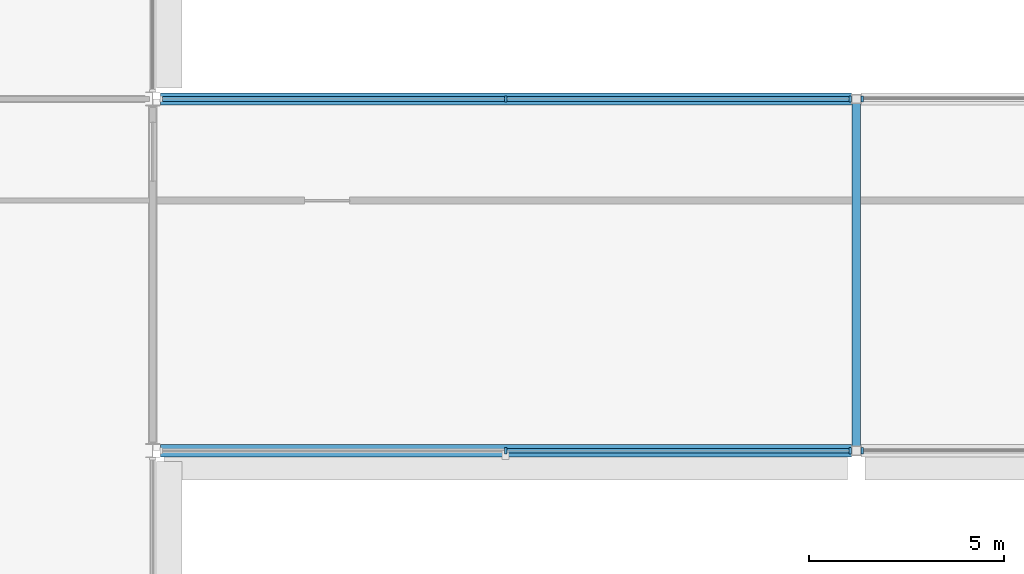
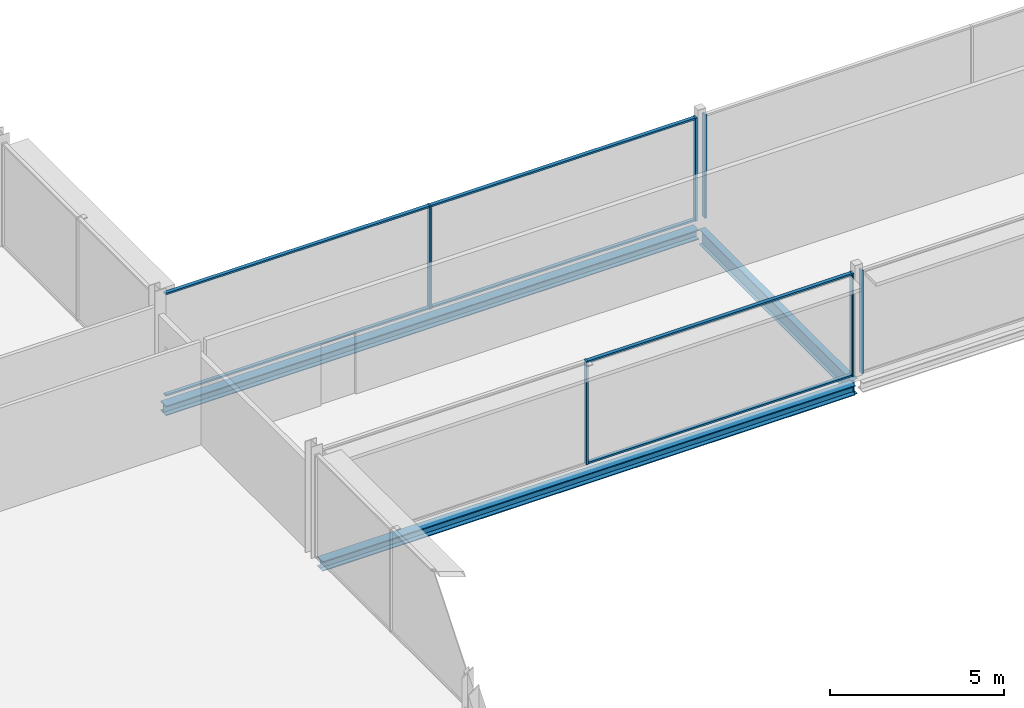
# One storey, part 32 of 98: 12 members, 3 beams, 4 elements without a shape of their own.
"""IFC4 building model written with IfcOpenShell, lengths in metres."""

from ifc_helpers import new_model, si_unit, direction, frame, origin, origin_2d, place, context, subcontext, project, spatial, rectangle, i_section, extrude, material, layer, layer_set, material_profile, profile_set, type_object, element, aggregate, save


model = new_model("IFC4")

# Units and contexts
model_context = context("Model", 3, precision=1e-05, world=origin(), true_north=direction((0.0, 1.0)))
body_context = subcontext(model_context, "Body", "Model", "MODEL_VIEW")
ifc_project = project(units=[si_unit("LENGTHUNIT", "METRE"), si_unit("AREAUNIT", "SQUARE_METRE"), si_unit("VOLUMEUNIT", "CUBIC_METRE"), si_unit("PLANEANGLEUNIT", "RADIAN"), si_unit("MASSUNIT", "GRAM", prefix="KILO")], contexts=[model_context])

# Site, building, storey
site_placement = place(None, origin())
site = spatial("IfcSite", under=ifc_project, at=site_placement, CompositionType="ELEMENT")
building_placement = place(site_placement, origin())
building = spatial("IfcBuilding", under=site, at=building_placement, Name="Kisiwana Market Hall", CompositionType="ELEMENT")
storey_placement = place(building_placement, frame((0.0, 0.0, 29.39990234375)))
storey = spatial("IfcBuildingStorey", under=building, at=storey_placement, Name="L06", CompositionType="ELEMENT", Elevation=29.39990234375)

# Beams
ifc_material_1 = material(Name="Steel S355", Category="steel")
ifc_material_profile_1 = material_profile(ifc_material_1, i_section(OverallWidth=0.209228515625, OverallDepth=0.533203125, WebThickness=0.010009765625, FlangeThickness=0.015625, at=origin_2d()), Name="UB 533x210x92")
ifc_profile_set_1 = profile_set([ifc_material_profile_1], Name="Steel S355")
beam_type_1 = type_object("IfcBeamType", Name="BM-GIRD-UB533", PredefinedType="BEAM", material=ifc_profile_set_1)
beam_placement = place(storey_placement, frame((63.0, 93.12109375, -0.531494140625), z_axis=(0.0, 1.0, 0.0), x_axis=(-1.0, 0.0, 0.0)))
element("IfcBeam", 1, at=beam_placement, inside=storey, type_object=beam_type_1, Name="Primary girder B-1720", PredefinedType="BEAM", context=body_context, shape_type="SweptSolid", body=[
    extrude(i_section(OverallWidth=0.209228515625, OverallDepth=0.533203125, WebThickness=0.010009765625, FlangeThickness=0.015625, at=origin_2d()), origin(), (0.0, 0.0, 1.0), 8.7578125),
])
ifc_material_2 = material(Name="Steel S355", Category="steel")
ifc_material_profile_2 = material_profile(ifc_material_2, i_section(OverallWidth=0.314453125, OverallDepth=0.33984375, WebThickness=0.01904296875, FlangeThickness=0.031494140625, at=origin_2d()), Name="UC 305x305x198")
ifc_profile_set_2 = profile_set([ifc_material_profile_2], Name="Steel S355")
beam_type_2 = type_object("IfcBeamType", Name="BM-SKYBR-CHORD", PredefinedType="BEAM", material=ifc_profile_set_2)
for number, where, z_axis, x_axis, name in (
    (2, (45.19921875, 93.0, -0.434814453125), (1.0, 0.0, 0.0), (0.0, 1.0, 0.0), "Floor beam B-1821"),
    (3, (45.19921875, 102.0, -0.434814453125), (1.0, 0.0, 0.0), (0.0, 1.0, 0.0), "Floor beam B-1831"),
):
    element("IfcBeam", number, at=place(storey_placement, frame(where, z_axis=z_axis, x_axis=x_axis)), inside=storey, type_object=beam_type_2, Name=name, PredefinedType="BEAM", context=body_context, shape_type="SweptSolid", body=[
        extrude(i_section(OverallWidth=0.314453125, OverallDepth=0.33984375, WebThickness=0.01904296875, FlangeThickness=0.031494140625, at=origin_2d()), origin(), (0.0, 0.0, 1.0), 17.6796875),
    ])

# Curtain wall, members
ifc_material_3 = material(Name="Double-glazed solar-control low-E IGU", Category="glass")
ifc_layer = layer(ifc_material_3, 0.159912109375)
ifc_layer_set = layer_set([ifc_layer], Name="CW-ZNA-EW-8200")
curtain_wall_type = type_object("IfcCurtainWallType", Name="CW-ZNA-EW-8200", PredefinedType="USERDEFINED", material=ifc_layer_set)
curtain_wall_1_placement = place(storey_placement, origin())
curtain_wall_1 = element("IfcCurtainWall", 4, at=curtain_wall_1_placement, inside=storey, type_object=curtain_wall_type, Name="Unitised curtain wall CW-184 (L06)", ObjectType="UNITISED CURTAIN WALL", PredefinedType="USERDEFINED")
ifc_material_4 = material(Name="Aluminium alloy 6063-T6", Category="aluminium")
ifc_material_profile_3 = material_profile(ifc_material_4, rectangle(XDim=0.06005859375, YDim=0.159912109375, at=origin_2d()), Name="ALU MULLION 60x160")
ifc_profile_set_3 = profile_set([ifc_material_profile_3], Name="Aluminium alloy 6063-T6")
member_type_1 = type_object("IfcMemberType", Name="CW-MULL-60x160", PredefinedType="MULLION", material=ifc_profile_set_3)
member_1_placement = place(storey_placement, frame((54.030029296875, 93.0, 0.0), z_axis=(0.0, 0.0, 1.0), x_axis=(1.0, 0.0, 0.0)))
member_1 = element("IfcMember", 5, at=member_1_placement, type_object=member_type_1, Name="CW-184 mullion 2", PredefinedType="MULLION", context=body_context, shape_type="SweptSolid", body=[
    extrude(rectangle(XDim=0.06005859375, YDim=0.159912109375, at=origin_2d()), origin(), (0.0, 0.0, 1.0), 3.6201171875),
])
member_2_placement = place(storey_placement, frame((62.844970703125, 93.0, 0.0), z_axis=(0.0, 0.0, 1.0), x_axis=(1.0, 0.0, 0.0)))
member_2 = element("IfcMember", 6, at=member_2_placement, type_object=member_type_1, Name="CW-184 mullion 3", PredefinedType="MULLION", context=body_context, shape_type="SweptSolid", body=[
    extrude(rectangle(XDim=0.06005859375, YDim=0.159912109375, at=origin_2d()), origin(), (0.0, 0.0, 1.0), 3.6201171875),
])

# Curtain wall, member
curtain_wall_2_placement = place(storey_placement, origin())
curtain_wall_2 = element("IfcCurtainWall", 7, at=curtain_wall_2_placement, inside=storey, type_object=curtain_wall_type, Name="Unitised curtain wall CW-185 (L06)", ObjectType="UNITISED CURTAIN WALL", PredefinedType="USERDEFINED")
member_3_placement = place(storey_placement, frame((63.155029296875, 93.0, 0.0), z_axis=(0.0, 0.0, 1.0), x_axis=(1.0, 0.0, 0.0)))
member_3 = element("IfcMember", 8, at=member_3_placement, type_object=member_type_1, Name="CW-185 mullion 1", PredefinedType="MULLION", context=body_context, shape_type="SweptSolid", body=[
    extrude(rectangle(XDim=0.06005859375, YDim=0.159912109375, at=origin_2d()), origin(), (0.0, 0.0, 1.0), 3.6201171875),
])
aggregate(curtain_wall_2, [member_3])

# Curtain wall, members
curtain_wall_3_placement = place(storey_placement, origin())
curtain_wall_3 = element("IfcCurtainWall", 9, at=curtain_wall_3_placement, inside=storey, type_object=curtain_wall_type, Name="Unitised curtain wall CW-190 (L06)", ObjectType="UNITISED CURTAIN WALL", PredefinedType="USERDEFINED")
member_4_placement = place(storey_placement, frame((54.030029296875, 102.0, 0.0), z_axis=(0.0, 0.0, 1.0), x_axis=(1.0, 0.0, 0.0)))
member_4 = element("IfcMember", 10, at=member_4_placement, type_object=member_type_1, Name="CW-190 mullion 2", PredefinedType="MULLION", context=body_context, shape_type="SweptSolid", body=[
    extrude(rectangle(XDim=0.06005859375, YDim=0.159912109375, at=origin_2d()), origin(), (0.0, 0.0, 1.0), 3.6201171875),
])
member_5_placement = place(storey_placement, frame((62.844970703125, 102.0, 0.0), z_axis=(0.0, 0.0, 1.0), x_axis=(1.0, 0.0, 0.0)))
member_5 = element("IfcMember", 11, at=member_5_placement, type_object=member_type_1, Name="CW-190 mullion 3", PredefinedType="MULLION", context=body_context, shape_type="SweptSolid", body=[
    extrude(rectangle(XDim=0.06005859375, YDim=0.159912109375, at=origin_2d()), origin(), (0.0, 0.0, 1.0), 3.6201171875),
])

# Curtain wall, member
curtain_wall_4_placement = place(storey_placement, origin())
curtain_wall_4 = element("IfcCurtainWall", 12, at=curtain_wall_4_placement, inside=storey, type_object=curtain_wall_type, Name="Unitised curtain wall CW-191 (L06)", ObjectType="UNITISED CURTAIN WALL", PredefinedType="USERDEFINED")
member_6_placement = place(storey_placement, frame((63.155029296875, 102.0, 0.0), z_axis=(0.0, 0.0, 1.0), x_axis=(1.0, 0.0, 0.0)))
member_6 = element("IfcMember", 13, at=member_6_placement, type_object=member_type_1, Name="CW-191 mullion 1", PredefinedType="MULLION", context=body_context, shape_type="SweptSolid", body=[
    extrude(rectangle(XDim=0.06005859375, YDim=0.159912109375, at=origin_2d()), origin(), (0.0, 0.0, 1.0), 3.6201171875),
])
aggregate(curtain_wall_4, [member_6])

# Member
ifc_material_5 = material(Name="Aluminium alloy 6063-T6", Category="aluminium")
ifc_material_profile_4 = material_profile(ifc_material_5, rectangle(XDim=0.1201171875, YDim=0.06005859375, at=origin_2d()), Name="ALU TRANSOM 60x120")
ifc_profile_set_4 = profile_set([ifc_material_profile_4], Name="Aluminium alloy 6063-T6")
member_type_2 = type_object("IfcMemberType", Name="CW-TRAN-60x120", PredefinedType="USERDEFINED", material=ifc_profile_set_4)
member_7_placement = place(storey_placement, frame((54.06005859375, 93.0, 0.030029296875), z_axis=(1.0, 0.0, 0.0), x_axis=(0.0, 1.0, 0.0)))
member_7 = element("IfcMember", 14, at=member_7_placement, type_object=member_type_2, Name="CW-184 transom 2.1", ObjectType="TRANSOM", PredefinedType="USERDEFINED", context=body_context, shape_type="SweptSolid", body=[
    extrude(rectangle(XDim=0.1201171875, YDim=0.06005859375, at=origin_2d()), origin(), (0.0, 0.0, 1.0), 8.7548828125),
])

member_8_placement = place(storey_placement, frame((54.06005859375, 93.0, 3.590087890625), z_axis=(1.0, 0.0, 0.0), x_axis=(0.0, 1.0, 0.0)))
member_8 = element("IfcMember", 15, at=member_8_placement, type_object=member_type_2, Name="CW-184 transom 2.2", ObjectType="TRANSOM", PredefinedType="USERDEFINED", context=body_context, shape_type="SweptSolid", body=[
    extrude(rectangle(XDim=0.1201171875, YDim=0.06005859375, at=origin_2d()), origin(), (0.0, 0.0, 1.0), 8.7548828125),
])

aggregate(curtain_wall_1, [member_1, member_2, member_7, member_8])

member_9_placement = place(storey_placement, frame((45.245361328125, 102.0, 0.030029296875), z_axis=(1.0, 0.0, 0.0), x_axis=(0.0, 1.0, 0.0)))
member_9 = element("IfcMember", 16, at=member_9_placement, type_object=member_type_2, Name="CW-190 transom 1.1", ObjectType="TRANSOM", PredefinedType="USERDEFINED", context=body_context, shape_type="SweptSolid", body=[
    extrude(rectangle(XDim=0.1201171875, YDim=0.06005859375, at=origin_2d()), origin(), (0.0, 0.0, 1.0), 8.7548828125),
])

member_10_placement = place(storey_placement, frame((45.245361328125, 102.0, 3.590087890625), z_axis=(1.0, 0.0, 0.0), x_axis=(0.0, 1.0, 0.0)))
member_10 = element("IfcMember", 17, at=member_10_placement, type_object=member_type_2, Name="CW-190 transom 1.2", ObjectType="TRANSOM", PredefinedType="USERDEFINED", context=body_context, shape_type="SweptSolid", body=[
    extrude(rectangle(XDim=0.1201171875, YDim=0.06005859375, at=origin_2d()), origin(), (0.0, 0.0, 1.0), 8.7548828125),
])

member_11_placement = place(storey_placement, frame((54.06005859375, 102.0, 0.030029296875), z_axis=(1.0, 0.0, 0.0), x_axis=(0.0, 1.0, 0.0)))
member_11 = element("IfcMember", 18, at=member_11_placement, type_object=member_type_2, Name="CW-190 transom 2.1", ObjectType="TRANSOM", PredefinedType="USERDEFINED", context=body_context, shape_type="SweptSolid", body=[
    extrude(rectangle(XDim=0.1201171875, YDim=0.06005859375, at=origin_2d()), origin(), (0.0, 0.0, 1.0), 8.7548828125),
])

member_12_placement = place(storey_placement, frame((54.06005859375, 102.0, 3.590087890625), z_axis=(1.0, 0.0, 0.0), x_axis=(0.0, 1.0, 0.0)))
member_12 = element("IfcMember", 19, at=member_12_placement, type_object=member_type_2, Name="CW-190 transom 2.2", ObjectType="TRANSOM", PredefinedType="USERDEFINED", context=body_context, shape_type="SweptSolid", body=[
    extrude(rectangle(XDim=0.1201171875, YDim=0.06005859375, at=origin_2d()), origin(), (0.0, 0.0, 1.0), 8.7548828125),
])

aggregate(curtain_wall_3, [member_4, member_5, member_9, member_10, member_11, member_12])

save(model, "model.ifc")
